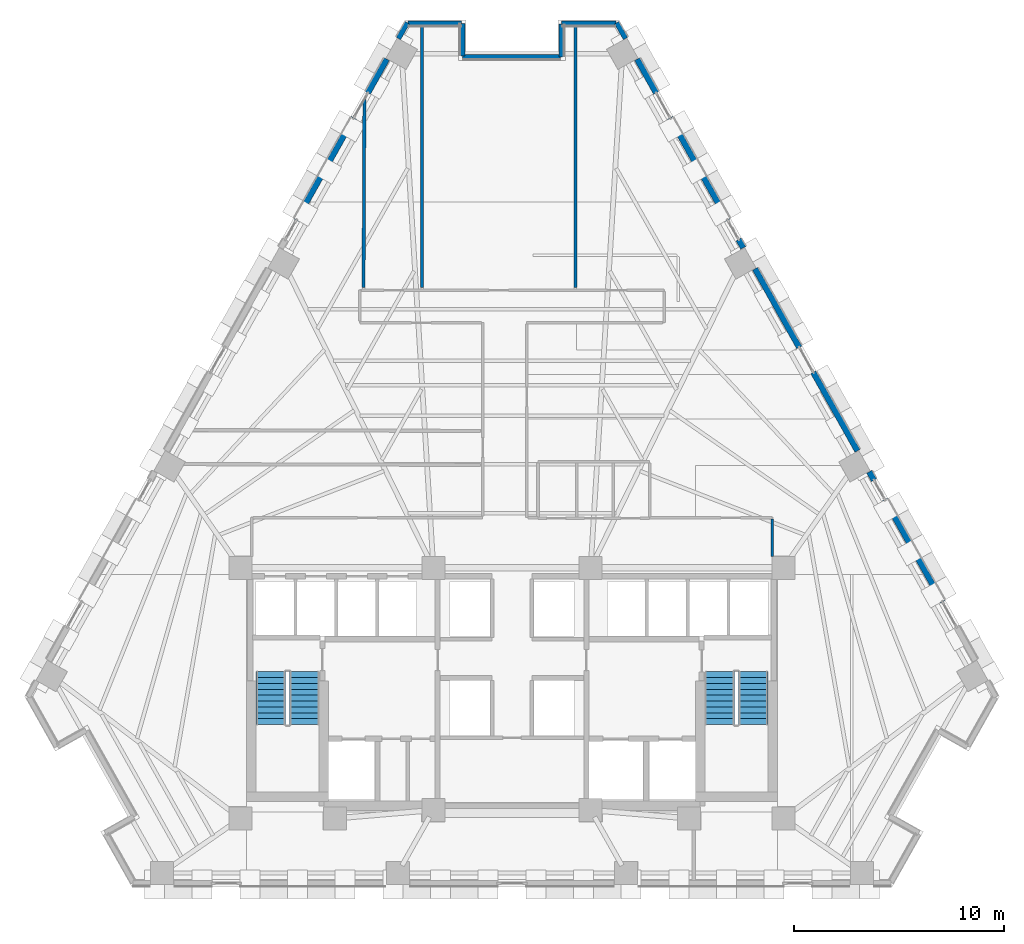
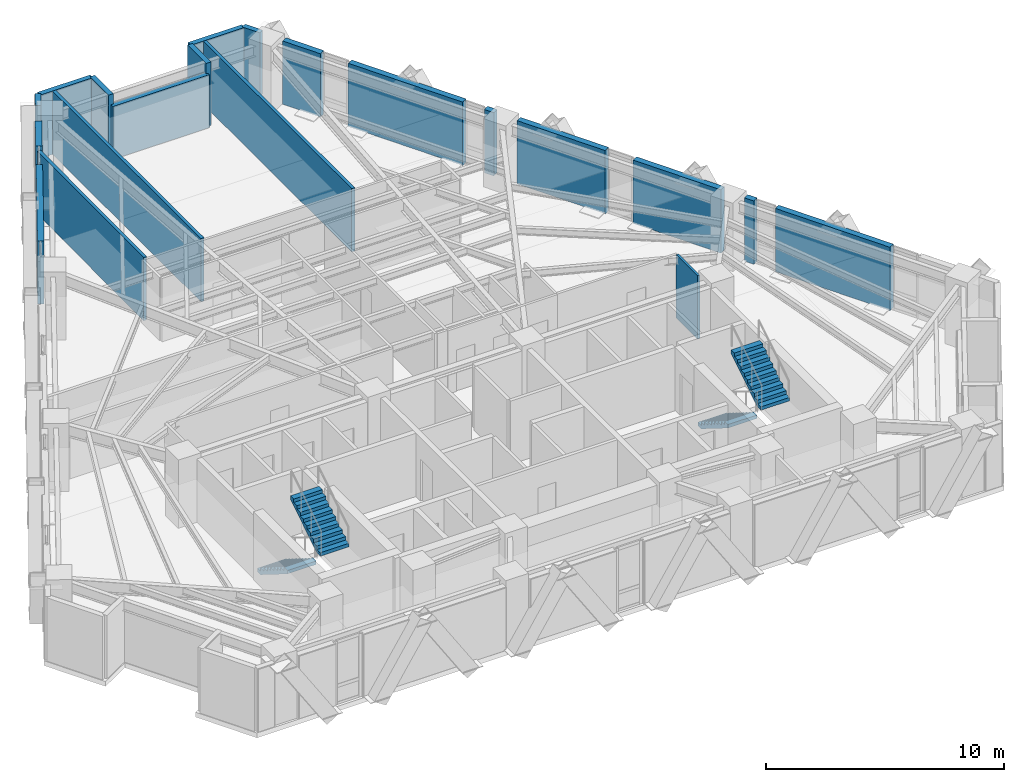
# One storey, part 9 of 13: 20 walls, 4 stair flights, 2 elements without a shape of their own.
"""IFC4 building model written with IfcOpenShell, lengths in metres."""

from ifc_helpers import new_model, si_unit, direction, frame, frame_2d, origin, place, context, subcontext, project, spatial, polyline, rectangle, outline, extrude, material, layer, layer_set, type_object, element, aggregate, save


model = new_model("IFC4")

# Units and contexts
model_context = context("Model", 3, precision=1e-05, world=origin(), true_north=direction((0.0, 1.0)))
body_context = subcontext(model_context, "Body", "Model", "MODEL_VIEW")
ifc_project = project(units=[si_unit("LENGTHUNIT", "METRE"), si_unit("AREAUNIT", "SQUARE_METRE"), si_unit("VOLUMEUNIT", "CUBIC_METRE"), si_unit("PLANEANGLEUNIT", "RADIAN"), si_unit("MASSUNIT", "GRAM", prefix="KILO")], contexts=[model_context])

# Site, building, storey
site_placement = place(None, origin())
site = spatial("IfcSite", under=ifc_project, at=site_placement, CompositionType="ELEMENT")
building_placement = place(site_placement, origin())
building = spatial("IfcBuilding", under=site, at=building_placement, Name="Quenlor Broadcast Tower", CompositionType="ELEMENT")
storey_placement = place(building_placement, frame((0.0, 0.0, 83.60009765625)))
storey = spatial("IfcBuildingStorey", under=building, at=storey_placement, Name="L22", CompositionType="ELEMENT", Elevation=83.60009765625)

# Walls
ifc_material_1 = material(Name="Acoustic Double Stud Gypsum Partition", Category="other")
ifc_layer_1 = layer(ifc_material_1, 0.14990234375)
ifc_layer_set_1 = layer_set([ifc_layer_1], Name="Broadcast Studio Acoustic Partition 150")
wall_type_1 = type_object("IfcWallType", Name="Broadcast Studio Acoustic Partition 150", PredefinedType="PARTITIONING", material=ifc_layer_set_1)
for number, where, z_axis, x_axis, name in (
    (1, (-4.294921875, 8.56005859375, 0.0), (0.0, 0.0, 1.0), (0.0, 1.0, 0.0), "L22 Interior Wall PW-DV-01"),
    (2, (3.028076171875, 21.0458984375, 0.0), (0.0, 0.0, 1.0), (0.0, -1.0, 0.0), "L22 Interior Wall PW-DV-02"),
):
    element("IfcWall", number, at=place(storey_placement, frame(where, z_axis=z_axis, x_axis=x_axis)), inside=storey, type_object=wall_type_1, Name=name, PredefinedType="PARTITIONING", context=body_context, shape_type="SweptSolid", body=[
        extrude(rectangle(XDim=12.48583984375, YDim=0.14990234375, at=frame_2d((6.242919921875, 0.0))), origin(), (0.0, 0.0, 1.0), 3.25),
    ])
wall_1_placement = place(storey_placement, frame((-7.079345703125, 8.56005859375, 0.0), z_axis=(0.0, 0.0, 1.0), x_axis=(0.004459021985, 0.999990058512, 0.0)))
element("IfcWall", 3, at=wall_1_placement, inside=storey, type_object=wall_type_1, Name="L22 Interior Wall PW-DV-03", PredefinedType="PARTITIONING", context=body_context, shape_type="SweptSolid", body=[
    extrude(rectangle(XDim=8.979248046875, YDim=0.14990234375, at=frame_2d((4.48974609375, 0.0))), origin(), (0.0, 0.0, 1.0), 3.25),
])
ifc_material_2 = material(Name="Gypsum Plasterboard Partition", Category="other")
ifc_layer_2 = layer(ifc_material_2, 0.1201171875)
ifc_layer_set_2 = layer_set([ifc_layer_2], Name="Standard Office Partition 120")
wall_type_2 = type_object("IfcWallType", Name="Standard Office Partition 120", PredefinedType="PARTITIONING", material=ifc_layer_set_2)
wall_2_placement = place(storey_placement, frame((12.409912109375, -2.4619140625, 0.0), z_axis=(0.0, 0.0, 1.0), x_axis=(0.0, -1.0, 0.0)))
element("IfcWall", 4, at=wall_2_placement, inside=storey, type_object=wall_type_2, Name="L22 Interior Wall PW-CR-11", PredefinedType="PARTITIONING", context=body_context, shape_type="SweptSolid", body=[
    extrude(rectangle(XDim=1.7861328125, YDim=0.1201171875, at=frame_2d((0.89306640625, 0.0))), origin(), (0.0, 0.0, 1.0), 3.25),
])
ifc_material_3 = material(Name="Precast concrete C40/50", Category="concrete")
ifc_layer_3 = layer(ifc_material_3, 0.239990234375)
ifc_layer_set_3 = layer_set([ifc_layer_3], Name="Terrace Threshold Precast Concrete C40/50 Wall 240")
wall_type_3 = type_object("IfcWallType", Name="Terrace Threshold Precast Concrete C40/50 Wall 240", PredefinedType="STANDARD", material=ifc_layer_set_3)
for number, where, z_axis, x_axis, name in (
    (5, (4.992919921875, 21.197265625, 0.0), (0.0, 0.0, 1.0), (0.490355003566, -0.871522788272, 0.0), "L22 Exterior Wall L22-SHD-NES0"),
    (6, (-5.417236328125, 20.443115234375, 0.0), (0.0, 0.0, 1.0), (0.490355003566, 0.871522788272, 0.0), "L22 Exterior Wall L22-SHD-NWS1"),
):
    element("IfcWall", number, at=place(storey_placement, frame(where, z_axis=z_axis, x_axis=x_axis)), inside=storey, type_object=wall_type_3, Name=name, PredefinedType="STANDARD", context=body_context, shape_type="SweptSolid", body=[
        extrude(rectangle(XDim=0.865234375, YDim=0.239990234375, at=frame_2d((0.4326171875, 0.0))), origin(), (0.0, 0.0, 1.0), 3.25),
    ])
wall_3_placement = place(storey_placement, frame((4.95947265625, 21.16796875, 0.0), z_axis=(0.0, 0.0, 1.0), x_axis=(-1.0, 0.0, 0.0)))
element("IfcWall", 7, at=wall_3_placement, inside=storey, type_object=wall_type_3, Name="L22 Exterior Wall L22-CNR-06", PredefinedType="STANDARD", context=body_context, shape_type="SweptSolid", body=[
    extrude(rectangle(XDim=2.599365234375, YDim=0.239990234375, at=frame_2d((1.2998046875, 0.0))), origin(), (0.0, 0.0, 1.0), 3.25),
])
wall_4_placement = place(storey_placement, frame((2.360107421875, 21.1279296875, 0.0), z_axis=(0.0, 0.0, 1.0), x_axis=(0.0, -1.0, 0.0)))
element("IfcWall", 8, at=wall_4_placement, inside=storey, type_object=wall_type_3, Name="L22 Exterior Wall L22-CNR-07", PredefinedType="STANDARD", context=body_context, shape_type="SweptSolid", body=[
    extrude(rectangle(XDim=1.559814453125, YDim=0.239990234375, at=frame_2d((0.77978515625, 0.0))), origin(), (0.0, 0.0, 1.0), 3.25),
])
wall_5_placement = place(storey_placement, frame((2.320068359375, 19.568115234375, 0.0), z_axis=(0.0, 0.0, 1.0), x_axis=(-1.0, 0.0, 0.0)))
element("IfcWall", 9, at=wall_5_placement, inside=storey, type_object=wall_type_3, Name="L22 Exterior Wall L22-CNR-08", PredefinedType="STANDARD", context=body_context, shape_type="SweptSolid", body=[
    extrude(rectangle(XDim=4.68017578125, YDim=0.239990234375, at=frame_2d((2.340087890625, 0.0))), origin(), (0.0, 0.0, 1.0), 2.7216796875),
])
wall_6_placement = place(storey_placement, frame((-2.360107421875, 19.60791015625, 0.0), z_axis=(0.0, 0.0, 1.0), x_axis=(0.0, 1.0, 0.0)))
element("IfcWall", 10, at=wall_6_placement, inside=storey, type_object=wall_type_3, Name="L22 Exterior Wall L22-CNR-09", PredefinedType="STANDARD", context=body_context, shape_type="SweptSolid", body=[
    extrude(rectangle(XDim=1.56005859375, YDim=0.239990234375, at=frame_2d((0.780029296875, 0.0))), origin(), (0.0, 0.0, 1.0), 3.25),
])
wall_7_placement = place(storey_placement, frame((-2.39990234375, 21.16796875, 0.0), z_axis=(0.0, 0.0, 1.0), x_axis=(-1.0, 0.0, 0.0)))
element("IfcWall", 11, at=wall_7_placement, inside=storey, type_object=wall_type_3, Name="L22 Exterior Wall L22-CNR-10", PredefinedType="STANDARD", context=body_context, shape_type="SweptSolid", body=[
    extrude(rectangle(XDim=2.5595703125, YDim=0.239990234375, at=frame_2d((1.27978515625, 0.0))), origin(), (0.0, 0.0, 1.0), 3.25),
])
ifc_material_4 = material(Name="Precast concrete C40/50", Category="concrete")
ifc_layer_4 = layer(ifc_material_4, 0.280029296875)
ifc_layer_set_4 = layer_set([ifc_layer_4], Name="Terracotta Precast Concrete C40/50 Facade Wall 280")
wall_type_4 = type_object("IfcWallType", Name="Terracotta Precast Concrete C40/50 Facade Wall 280", PredefinedType="STANDARD", material=ifc_layer_set_4)
wall_8_placement = place(storey_placement, frame((5.97119140625, 19.458251953125, 0.0), z_axis=(0.0, 0.0, 1.0), x_axis=(0.490280102884, -0.871564926277, 0.0)))
element("IfcWall", 12, at=wall_8_placement, inside=storey, type_object=wall_type_4, Name="L22 Exterior Wall L22-NEA-SP1", PredefinedType="STANDARD", context=body_context, shape_type="SweptSolid", body=[
    extrude(rectangle(XDim=1.843505859375, YDim=0.280029296875, at=frame_2d((0.921875, 0.0))), origin(), (0.0, 0.0, 1.0), 3.25),
])
wall_9_placement = place(storey_placement, frame((7.543701171875, 16.662353515625, 0.0), z_axis=(0.0, 0.0, 1.0), x_axis=(0.490298514233, -0.871554569113, 0.0)))
element("IfcWall", 13, at=wall_9_placement, inside=storey, type_object=wall_type_4, Name="L22 Exterior Wall L22-NEA-SP2", PredefinedType="STANDARD", context=body_context, shape_type="SweptSolid", body=[
    extrude(rectangle(XDim=5.597412109375, YDim=0.280029296875, at=frame_2d((2.798828125, 0.0))), origin(), (0.0, 0.0, 1.0), 3.25),
])
for number, where, z_axis, x_axis, name in (
    (14, (10.806396484375, 10.862060546875, 0.0), (0.0, 0.0, 1.0), (0.490412424957, -0.871490478116, 0.0), "L22 Exterior Wall L22-NEA-SP3"),
    (15, (17.0390625, -0.218017578125, 0.0), (0.0, 0.0, 1.0), (0.490009165718, -0.871717280724, 0.0), "L22 Exterior Wall L22-NEC-SP1"),
):
    element("IfcWall", number, at=place(storey_placement, frame(where, z_axis=z_axis, x_axis=x_axis)), inside=storey, type_object=wall_type_4, Name=name, PredefinedType="STANDARD", context=body_context, shape_type="SweptSolid", body=[
        extrude(rectangle(XDim=0.4599609375, YDim=0.280029296875, at=frame_2d((0.22998046875, 0.0))), origin(), (0.0, 0.0, 1.0), 3.25),
    ])
wall_10_placement = place(storey_placement, frame((17.782958984375, -1.540771484375, 0.0), z_axis=(0.0, 0.0, 1.0), x_axis=(0.490265381388, -0.871573207374, 0.0)))
element("IfcWall", 16, at=wall_10_placement, inside=storey, type_object=wall_type_4, Name="L22 Exterior Wall L22-NEC-SP2", PredefinedType="STANDARD", context=body_context, shape_type="SweptSolid", body=[
    extrude(rectangle(XDim=5.59716796875, YDim=0.280029296875, at=frame_2d((2.798583984375, 0.0))), origin(), (0.0, 0.0, 1.0), 3.25),
])
for number, where, z_axis, x_axis, name in (
    (17, (11.59326171875, 9.463134765625, 0.0), (0.0, 0.0, 1.0), (0.490293592365, -0.871557337922, 0.0), "L22 Exterior Wall L22-NE-SP1"),
    (18, (14.369873046875, 4.527099609375, 0.0), (0.0, 0.0, 1.0), (0.490293592365, -0.871557337922, 0.0), "L22 Exterior Wall L22-NE-SP2"),
):
    element("IfcWall", number, at=place(storey_placement, frame(where, z_axis=z_axis, x_axis=x_axis)), inside=storey, type_object=wall_type_4, Name=name, PredefinedType="STANDARD", context=body_context, shape_type="SweptSolid", body=[
        extrude(rectangle(XDim=4.29931640625, YDim=0.280029296875, at=frame_2d((2.149658203125, 0.0))), origin(), (0.0, 0.0, 1.0), 3.25),
    ])
wall_11_placement = place(storey_placement, frame((-10.2880859375, 11.783935546875, 0.0), z_axis=(0.0, 0.0, 1.0), x_axis=(0.490298514233, 0.871554569113, 0.0)))
element("IfcWall", 19, at=wall_11_placement, inside=storey, type_object=wall_type_4, Name="L22 Exterior Wall L22-NWC-SP2", PredefinedType="STANDARD", context=body_context, shape_type="SweptSolid", body=[
    extrude(rectangle(XDim=5.597412109375, YDim=0.280029296875, at=frame_2d((2.798828125, 0.0))), origin(), (0.0, 0.0, 1.0), 3.25),
])
wall_12_placement = place(storey_placement, frame((-6.875, 17.8515625, 0.0), z_axis=(0.0, 0.0, 1.0), x_axis=(0.490280102884, 0.871564926277, 0.0)))
element("IfcWall", 20, at=wall_12_placement, inside=storey, type_object=wall_type_4, Name="L22 Exterior Wall L22-NWC-SP3", PredefinedType="STANDARD", context=body_context, shape_type="SweptSolid", body=[
    extrude(rectangle(XDim=1.843505859375, YDim=0.280029296875, at=frame_2d((0.921875, 0.0))), origin(), (0.0, 0.0, 1.0), 3.25),
])

# Stair, stair flights
ifc_material_5 = material(Name="Precast concrete C40/50", Category="concrete")
stair_type = type_object("IfcStairType", Name="Precast Concrete C40/50 Dogleg Stair H350", PredefinedType="HALF_TURN_STAIR", material=ifc_material_5)
stair_1_placement = place(storey_placement, origin())
stair_1 = element("IfcStair", 21, at=stair_1_placement, inside=storey, type_object=stair_type, Name="L22 West Core Fire-Isolated Exit Stair ST-1", PredefinedType="HALF_TURN_STAIR")
ifc_material_6 = material(Name="Precast concrete C40/50", Category="concrete")
ifc_layer_5 = layer(ifc_material_6, 0.159912109375)
ifc_layer_set_5 = layer_set([ifc_layer_5], Name="Precast Concrete C40/50 Stair Flight H350")
stair_flight_type = type_object("IfcStairFlightType", Name="Precast Concrete C40/50 Stair Flight H350", PredefinedType="STRAIGHT", material=ifc_layer_set_5)
stair_flight_1_placement = place(storey_placement, frame((-11.5, -9.75, 0.0), z_axis=(0.0, 0.0, 1.0), x_axis=(0.0, -1.0, 0.0)))
stair_flight_1 = element("IfcStairFlight", 22, at=stair_flight_1_placement, type_object=stair_flight_type, Name="ST-1 flight 1", NumberOfRisers=10, NumberOfTreads=9, PredefinedType="STRAIGHT", RiserHeight=0.175, TreadLength=0.28, context=body_context, shape_type="SweptSolid", body=[
    extrude(outline(polyline([(0.0, 0.0), (0.0, 0.175048828125), (0.280029296875, 0.175048828125), (0.280029296875, 0.35009765625), (0.56005859375, 0.35009765625), (0.56005859375, 0.52490234375), (0.840087890625, 0.52490234375), (0.840087890625, 0.699951171875), (1.1201171875, 0.699951171875), (1.1201171875, 0.875), (1.39990234375, 0.875), (1.39990234375, 1.050048828125), (1.679931640625, 1.050048828125), (1.679931640625, 1.22509765625), (1.9599609375, 1.22509765625), (1.9599609375, 1.39990234375), (2.239990234375, 1.39990234375), (2.239990234375, 1.574951171875), (2.52001953125, 1.574951171875), (2.52001953125, 1.75), (2.52001953125, 1.398193359375), (0.28271484375, 0.0), (0.0, 0.0)])), frame((0.0, 0.699951171875, 0.0), z_axis=(0.0, -1.0, 0.0), x_axis=(1.0, 0.0, 0.0)), (0.0, 0.0, 1.0), 1.39990234375),
])
stair_flight_2_placement = place(storey_placement, frame((-9.89990234375, -12.27001953125, 1.75), z_axis=(0.0, 0.0, 1.0), x_axis=(0.0, 1.0, 0.0)))
stair_flight_2 = element("IfcStairFlight", 23, at=stair_flight_2_placement, type_object=stair_flight_type, Name="ST-1 flight 2", NumberOfRisers=10, NumberOfTreads=9, PredefinedType="STRAIGHT", RiserHeight=0.175, TreadLength=0.28, context=body_context, shape_type="SweptSolid", body=[
    extrude(outline(polyline([(0.0, 0.0), (0.0, 0.175048828125), (0.280029296875, 0.175048828125), (0.280029296875, 0.35009765625), (0.56005859375, 0.35009765625), (0.56005859375, 0.52490234375), (0.840087890625, 0.52490234375), (0.840087890625, 0.699951171875), (1.1201171875, 0.699951171875), (1.1201171875, 0.875), (1.39990234375, 0.875), (1.39990234375, 1.050048828125), (1.679931640625, 1.050048828125), (1.679931640625, 1.22509765625), (1.9599609375, 1.22509765625), (1.9599609375, 1.39990234375), (2.239990234375, 1.39990234375), (2.239990234375, 1.574951171875), (2.52001953125, 1.574951171875), (2.52001953125, 1.75), (2.52001953125, 1.398193359375), (0.28271484375, 0.0), (0.0, 0.0)])), frame((0.0, 0.699951171875, 0.0), z_axis=(0.0, -1.0, 0.0), x_axis=(1.0, 0.0, 0.0)), (0.0, 0.0, 1.0), 1.39990234375),
])
aggregate(stair_1, [stair_flight_1, stair_flight_2])

stair_2_placement = place(storey_placement, origin())
stair_2 = element("IfcStair", 24, at=stair_2_placement, inside=storey, type_object=stair_type, Name="L22 East Core Fire-Isolated Exit Stair ST-2", PredefinedType="HALF_TURN_STAIR")
stair_flight_3_placement = place(storey_placement, frame((9.89990234375, -9.75, 0.0), z_axis=(0.0, 0.0, 1.0), x_axis=(0.0, -1.0, 0.0)))
stair_flight_3 = element("IfcStairFlight", 25, at=stair_flight_3_placement, type_object=stair_flight_type, Name="ST-2 flight 1", NumberOfRisers=10, NumberOfTreads=9, PredefinedType="STRAIGHT", RiserHeight=0.175, TreadLength=0.28, context=body_context, shape_type="SweptSolid", body=[
    extrude(outline(polyline([(0.0, 0.0), (0.0, 0.175048828125), (0.280029296875, 0.175048828125), (0.280029296875, 0.35009765625), (0.56005859375, 0.35009765625), (0.56005859375, 0.52490234375), (0.840087890625, 0.52490234375), (0.840087890625, 0.699951171875), (1.1201171875, 0.699951171875), (1.1201171875, 0.875), (1.39990234375, 0.875), (1.39990234375, 1.050048828125), (1.679931640625, 1.050048828125), (1.679931640625, 1.22509765625), (1.9599609375, 1.22509765625), (1.9599609375, 1.39990234375), (2.239990234375, 1.39990234375), (2.239990234375, 1.574951171875), (2.52001953125, 1.574951171875), (2.52001953125, 1.75), (2.52001953125, 1.398193359375), (0.28271484375, 0.0), (0.0, 0.0)])), frame((0.0, 0.699951171875, 0.0), z_axis=(0.0, -1.0, 0.0), x_axis=(1.0, 0.0, 0.0)), (0.0, 0.0, 1.0), 1.39990234375),
])
stair_flight_4_placement = place(storey_placement, frame((11.5, -12.27001953125, 1.75), z_axis=(0.0, 0.0, 1.0), x_axis=(0.0, 1.0, 0.0)))
stair_flight_4 = element("IfcStairFlight", 26, at=stair_flight_4_placement, type_object=stair_flight_type, Name="ST-2 flight 2", NumberOfRisers=10, NumberOfTreads=9, PredefinedType="STRAIGHT", RiserHeight=0.175, TreadLength=0.28, context=body_context, shape_type="SweptSolid", body=[
    extrude(outline(polyline([(0.0, 0.0), (0.0, 0.175048828125), (0.280029296875, 0.175048828125), (0.280029296875, 0.35009765625), (0.56005859375, 0.35009765625), (0.56005859375, 0.52490234375), (0.840087890625, 0.52490234375), (0.840087890625, 0.699951171875), (1.1201171875, 0.699951171875), (1.1201171875, 0.875), (1.39990234375, 0.875), (1.39990234375, 1.050048828125), (1.679931640625, 1.050048828125), (1.679931640625, 1.22509765625), (1.9599609375, 1.22509765625), (1.9599609375, 1.39990234375), (2.239990234375, 1.39990234375), (2.239990234375, 1.574951171875), (2.52001953125, 1.574951171875), (2.52001953125, 1.75), (2.52001953125, 1.398193359375), (0.28271484375, 0.0), (0.0, 0.0)])), frame((0.0, 0.699951171875, 0.0), z_axis=(0.0, -1.0, 0.0), x_axis=(1.0, 0.0, 0.0)), (0.0, 0.0, 1.0), 1.39990234375),
])
aggregate(stair_2, [stair_flight_3, stair_flight_4])

save(model, "model.ifc")
